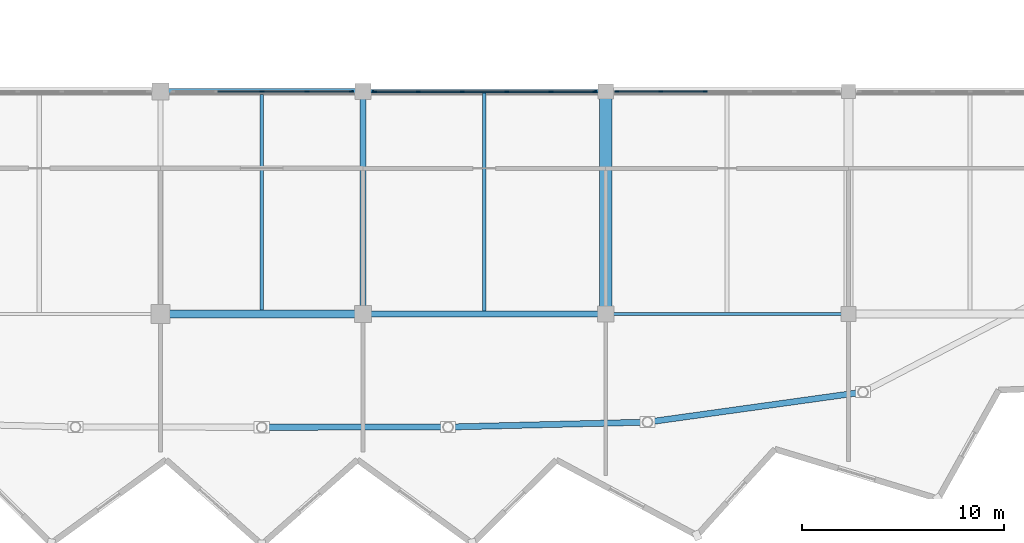
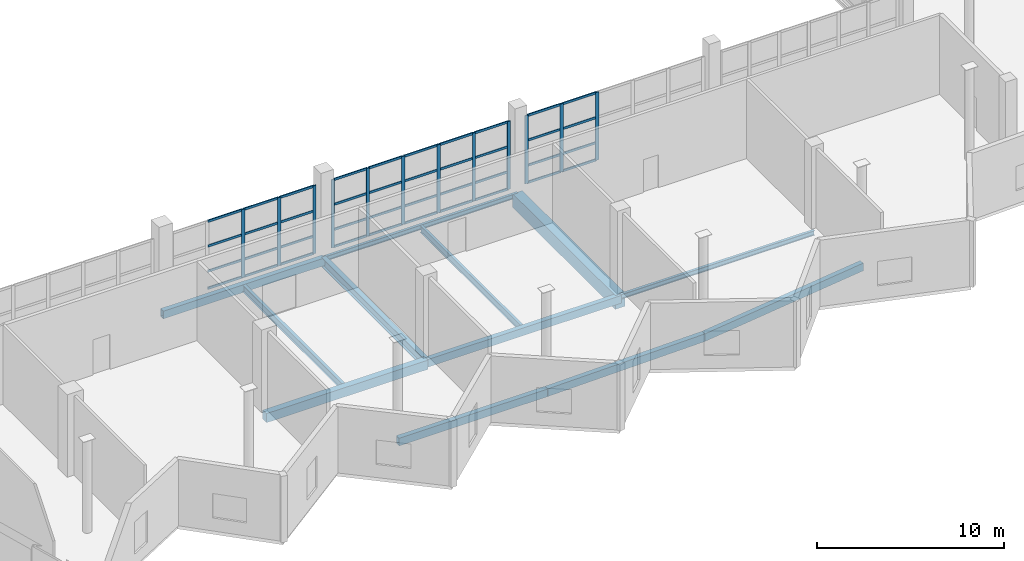
# One storey, part 16 of 49: 52 members, 12 beams, 3 elements without a shape of their own.
"""IFC4 building model written with IfcOpenShell, lengths in metres."""

from ifc_helpers import new_model, si_unit, direction, frame, origin, origin_2d, place, context, subcontext, project, spatial, rectangle, hollow_rectangle, i_section, extrude, material, material_profile, profile_set, type_object, element, aggregate, save


model = new_model("IFC4")

# Units and contexts
model_context = context("Model", 3, precision=1e-05, world=origin(), true_north=direction((0.0, 1.0)))
body_context = subcontext(model_context, "Body", "Model", "MODEL_VIEW")
ifc_project = project(units=[si_unit("LENGTHUNIT", "METRE"), si_unit("AREAUNIT", "SQUARE_METRE"), si_unit("VOLUMEUNIT", "CUBIC_METRE"), si_unit("PLANEANGLEUNIT", "RADIAN"), si_unit("MASSUNIT", "GRAM", prefix="KILO")], contexts=[model_context])

# Site, building, storey
site_placement = place(None, origin())
site = spatial("IfcSite", under=ifc_project, at=site_placement, CompositionType="ELEMENT")
building_placement = place(site_placement, origin())
building = spatial("IfcBuilding", under=site, at=building_placement, Name="Luwafu Chhajja Arena", CompositionType="ELEMENT")
storey_placement = place(building_placement, frame((0.0, 0.0, 24.300048828125)))
storey = spatial("IfcBuildingStorey", under=building, at=storey_placement, Name="L05", CompositionType="ELEMENT", Elevation=24.300048828125)

# Curtain wall, members
ifc_material_1 = material(Name="Anodised bronze aluminium", Category="aluminium")
curtain_wall_type = type_object("IfcCurtainWallType", Name="VIP Club Terrace Curtain Wall", PredefinedType="USERDEFINED", material=ifc_material_1)
curtain_wall_1_placement = place(storey_placement, origin())
curtain_wall_1 = element("IfcCurtainWall", 1, at=curtain_wall_1_placement, inside=storey, type_object=curtain_wall_type, Name="L05 Bowl Viewing Curtain Wall CWR-L05-04", ObjectType="CURTAIN WALL", PredefinedType="USERDEFINED")
ifc_material_profile_1 = material_profile(ifc_material_1, rectangle(XDim=0.06494140625, YDim=0.199951171875, at=origin_2d()), Name="CWM 65x200")
ifc_profile_set_1 = profile_set([ifc_material_profile_1], Name="Anodised bronze aluminium")
member_type_1 = type_object("IfcMemberType", Name="Bronze Curtain Wall Mullion 65x200", PredefinedType="MULLION", material=ifc_profile_set_1)
member_1_placement = place(storey_placement, frame((99.012451171875, 22.0, 0.0), z_axis=(0.0, 0.0, 1.0), x_axis=(0.0, 1.0, 0.0)))
member_1 = element("IfcMember", 2, at=member_1_placement, type_object=member_type_1, Name="CW-10 mullion 3", PredefinedType="MULLION", context=body_context, shape_type="SweptSolid", body=[
    extrude(rectangle(XDim=0.06494140625, YDim=0.199951171875, at=origin_2d()), origin(), (0.0, 0.0, 1.0), 4.449951171875),
])
member_2_placement = place(storey_placement, frame((101.236328125, 22.0, 0.0), z_axis=(0.0, 0.0, 1.0), x_axis=(0.0, 1.0, 0.0)))
member_2 = element("IfcMember", 3, at=member_2_placement, type_object=member_type_1, Name="CW-10 mullion 4", PredefinedType="MULLION", context=body_context, shape_type="SweptSolid", body=[
    extrude(rectangle(XDim=0.06494140625, YDim=0.199951171875, at=origin_2d()), origin(), (0.0, 0.0, 1.0), 4.449951171875),
])
member_3_placement = place(storey_placement, frame((103.427490234375, 22.0, 0.0), z_axis=(0.0, 0.0, 1.0), x_axis=(0.0, 1.0, 0.0)))
member_3 = element("IfcMember", 4, at=member_3_placement, type_object=member_type_1, Name="CW-10 mullion 5", PredefinedType="MULLION", context=body_context, shape_type="SweptSolid", body=[
    extrude(rectangle(XDim=0.06494140625, YDim=0.199951171875, at=origin_2d()), origin(), (0.0, 0.0, 1.0), 4.449951171875),
])

curtain_wall_2_placement = place(storey_placement, origin())
curtain_wall_2 = element("IfcCurtainWall", 5, at=curtain_wall_2_placement, inside=storey, type_object=curtain_wall_type, Name="L05 Bowl Viewing Curtain Wall CWR-L05-05", ObjectType="CURTAIN WALL", PredefinedType="USERDEFINED")
member_4_placement = place(storey_placement, frame((104.572509765625, 22.0, 0.0), z_axis=(0.0, 0.0, 1.0), x_axis=(0.0, 1.0, 0.0)))
member_4 = element("IfcMember", 6, at=member_4_placement, type_object=member_type_1, Name="CW-10 mullion 1", PredefinedType="MULLION", context=body_context, shape_type="SweptSolid", body=[
    extrude(rectangle(XDim=0.06494140625, YDim=0.199951171875, at=origin_2d()), origin(), (0.0, 0.0, 1.0), 4.449951171875),
])
member_5_placement = place(storey_placement, frame((106.72900390625, 22.0, 0.0), z_axis=(0.0, 0.0, 1.0), x_axis=(0.0, 1.0, 0.0)))
member_5 = element("IfcMember", 7, at=member_5_placement, type_object=member_type_1, Name="CW-10 mullion 2", PredefinedType="MULLION", context=body_context, shape_type="SweptSolid", body=[
    extrude(rectangle(XDim=0.06494140625, YDim=0.199951171875, at=origin_2d()), origin(), (0.0, 0.0, 1.0), 4.449951171875),
])
member_6_placement = place(storey_placement, frame((108.91796875, 22.0, 0.0), z_axis=(0.0, 0.0, 1.0), x_axis=(0.0, 1.0, 0.0)))
member_6 = element("IfcMember", 8, at=member_6_placement, type_object=member_type_1, Name="CW-10 mullion 3", PredefinedType="MULLION", context=body_context, shape_type="SweptSolid", body=[
    extrude(rectangle(XDim=0.06494140625, YDim=0.199951171875, at=origin_2d()), origin(), (0.0, 0.0, 1.0), 4.449951171875),
])
member_7_placement = place(storey_placement, frame((111.10693359375, 22.0, 0.0), z_axis=(0.0, 0.0, 1.0), x_axis=(0.0, 1.0, 0.0)))
member_7 = element("IfcMember", 9, at=member_7_placement, type_object=member_type_1, Name="CW-10 mullion 4", PredefinedType="MULLION", context=body_context, shape_type="SweptSolid", body=[
    extrude(rectangle(XDim=0.06494140625, YDim=0.199951171875, at=origin_2d()), origin(), (0.0, 0.0, 1.0), 4.449951171875),
])
member_8_placement = place(storey_placement, frame((113.2958984375, 22.0, 0.0), z_axis=(0.0, 0.0, 1.0), x_axis=(0.0, 1.0, 0.0)))
member_8 = element("IfcMember", 10, at=member_8_placement, type_object=member_type_1, Name="CW-10 mullion 5", PredefinedType="MULLION", context=body_context, shape_type="SweptSolid", body=[
    extrude(rectangle(XDim=0.06494140625, YDim=0.199951171875, at=origin_2d()), origin(), (0.0, 0.0, 1.0), 4.449951171875),
])
member_9_placement = place(storey_placement, frame((115.452392578125, 22.0, 0.0), z_axis=(0.0, 0.0, 1.0), x_axis=(0.0, 1.0, 0.0)))
member_9 = element("IfcMember", 11, at=member_9_placement, type_object=member_type_1, Name="CW-10 mullion 6", PredefinedType="MULLION", context=body_context, shape_type="SweptSolid", body=[
    extrude(rectangle(XDim=0.06494140625, YDim=0.199951171875, at=origin_2d()), origin(), (0.0, 0.0, 1.0), 4.449951171875),
])

curtain_wall_3_placement = place(storey_placement, origin())
curtain_wall_3 = element("IfcCurtainWall", 12, at=curtain_wall_3_placement, inside=storey, type_object=curtain_wall_type, Name="L05 Bowl Viewing Curtain Wall CWR-L05-06", ObjectType="CURTAIN WALL", PredefinedType="USERDEFINED")
member_10_placement = place(storey_placement, frame((116.547607421875, 22.0, 0.0), z_axis=(0.0, 0.0, 1.0), x_axis=(0.0, 1.0, 0.0)))
member_10 = element("IfcMember", 13, at=member_10_placement, type_object=member_type_1, Name="CW-10 mullion 1", PredefinedType="MULLION", context=body_context, shape_type="SweptSolid", body=[
    extrude(rectangle(XDim=0.06494140625, YDim=0.199951171875, at=origin_2d()), origin(), (0.0, 0.0, 1.0), 4.449951171875),
])
member_11_placement = place(storey_placement, frame((118.714111328125, 22.0, 0.0), z_axis=(0.0, 0.0, 1.0), x_axis=(0.0, 1.0, 0.0)))
member_11 = element("IfcMember", 14, at=member_11_placement, type_object=member_type_1, Name="CW-10 mullion 2", PredefinedType="MULLION", context=body_context, shape_type="SweptSolid", body=[
    extrude(rectangle(XDim=0.06494140625, YDim=0.199951171875, at=origin_2d()), origin(), (0.0, 0.0, 1.0), 4.449951171875),
])
member_12_placement = place(storey_placement, frame((120.9130859375, 22.0, 0.0), z_axis=(0.0, 0.0, 1.0), x_axis=(0.0, 1.0, 0.0)))
member_12 = element("IfcMember", 15, at=member_12_placement, type_object=member_type_1, Name="CW-10 mullion 3", PredefinedType="MULLION", context=body_context, shape_type="SweptSolid", body=[
    extrude(rectangle(XDim=0.06494140625, YDim=0.199951171875, at=origin_2d()), origin(), (0.0, 0.0, 1.0), 4.449951171875),
])

# Member
ifc_material_profile_2 = material_profile(ifc_material_1, rectangle(XDim=0.06494140625, YDim=0.14990234375, at=origin_2d()), Name="CWT 65x150")
ifc_profile_set_2 = profile_set([ifc_material_profile_2], Name="Anodised bronze aluminium")
member_type_2 = type_object("IfcMemberType", Name="Bronze Curtain Wall Transom 65x150", PredefinedType="USERDEFINED", material=ifc_profile_set_2)
member_13_placement = place(storey_placement, frame((96.8212890625, 22.0, 0.032470703125), z_axis=(1.0, 0.0, 0.0), x_axis=(0.0, 1.0, 0.0)))
member_13 = element("IfcMember", 16, at=member_13_placement, type_object=member_type_2, Name="CW-10 transom 2.1", ObjectType="TRANSOM", PredefinedType="USERDEFINED", context=body_context, shape_type="SweptSolid", body=[
    extrude(rectangle(XDim=0.06494140625, YDim=0.14990234375, at=origin_2d()), origin(), (0.0, 0.0, 1.0), 2.15869140625),
])

member_14_placement = place(storey_placement, frame((96.8212890625, 22.0, 1.14990234375), z_axis=(1.0, 0.0, 0.0), x_axis=(0.0, 1.0, 0.0)))
member_14 = element("IfcMember", 17, at=member_14_placement, type_object=member_type_2, Name="CW-10 transom 2.2", ObjectType="TRANSOM", PredefinedType="USERDEFINED", context=body_context, shape_type="SweptSolid", body=[
    extrude(rectangle(XDim=0.06494140625, YDim=0.14990234375, at=origin_2d()), origin(), (0.0, 0.0, 1.0), 2.15869140625),
])

member_15_placement = place(storey_placement, frame((96.8212890625, 22.0, 2.800048828125), z_axis=(1.0, 0.0, 0.0), x_axis=(0.0, 1.0, 0.0)))
member_15 = element("IfcMember", 18, at=member_15_placement, type_object=member_type_2, Name="CW-10 transom 2.3", ObjectType="TRANSOM", PredefinedType="USERDEFINED", context=body_context, shape_type="SweptSolid", body=[
    extrude(rectangle(XDim=0.06494140625, YDim=0.14990234375, at=origin_2d()), origin(), (0.0, 0.0, 1.0), 2.15869140625),
])

member_16_placement = place(storey_placement, frame((96.8212890625, 22.0, 4.41748046875), z_axis=(1.0, 0.0, 0.0), x_axis=(0.0, 1.0, 0.0)))
member_16 = element("IfcMember", 19, at=member_16_placement, type_object=member_type_2, Name="CW-10 transom 2.4", ObjectType="TRANSOM", PredefinedType="USERDEFINED", context=body_context, shape_type="SweptSolid", body=[
    extrude(rectangle(XDim=0.06494140625, YDim=0.14990234375, at=origin_2d()), origin(), (0.0, 0.0, 1.0), 2.15869140625),
])

member_17_placement = place(storey_placement, frame((99.044921875, 22.0, 0.032470703125), z_axis=(1.0, 0.0, 0.0), x_axis=(0.0, 1.0, 0.0)))
member_17 = element("IfcMember", 20, at=member_17_placement, type_object=member_type_2, Name="CW-10 transom 3.1", ObjectType="TRANSOM", PredefinedType="USERDEFINED", context=body_context, shape_type="SweptSolid", body=[
    extrude(rectangle(XDim=0.06494140625, YDim=0.14990234375, at=origin_2d()), origin(), (0.0, 0.0, 1.0), 2.158935546875),
])

member_18_placement = place(storey_placement, frame((99.044921875, 22.0, 1.14990234375), z_axis=(1.0, 0.0, 0.0), x_axis=(0.0, 1.0, 0.0)))
member_18 = element("IfcMember", 21, at=member_18_placement, type_object=member_type_2, Name="CW-10 transom 3.2", ObjectType="TRANSOM", PredefinedType="USERDEFINED", context=body_context, shape_type="SweptSolid", body=[
    extrude(rectangle(XDim=0.06494140625, YDim=0.14990234375, at=origin_2d()), origin(), (0.0, 0.0, 1.0), 2.158935546875),
])

member_19_placement = place(storey_placement, frame((99.044921875, 22.0, 2.800048828125), z_axis=(1.0, 0.0, 0.0), x_axis=(0.0, 1.0, 0.0)))
member_19 = element("IfcMember", 22, at=member_19_placement, type_object=member_type_2, Name="CW-10 transom 3.3", ObjectType="TRANSOM", PredefinedType="USERDEFINED", context=body_context, shape_type="SweptSolid", body=[
    extrude(rectangle(XDim=0.06494140625, YDim=0.14990234375, at=origin_2d()), origin(), (0.0, 0.0, 1.0), 2.158935546875),
])

member_20_placement = place(storey_placement, frame((99.044921875, 22.0, 4.41748046875), z_axis=(1.0, 0.0, 0.0), x_axis=(0.0, 1.0, 0.0)))
member_20 = element("IfcMember", 23, at=member_20_placement, type_object=member_type_2, Name="CW-10 transom 3.4", ObjectType="TRANSOM", PredefinedType="USERDEFINED", context=body_context, shape_type="SweptSolid", body=[
    extrude(rectangle(XDim=0.06494140625, YDim=0.14990234375, at=origin_2d()), origin(), (0.0, 0.0, 1.0), 2.158935546875),
])

member_21_placement = place(storey_placement, frame((101.268798828125, 22.0, 0.032470703125), z_axis=(1.0, 0.0, 0.0), x_axis=(0.0, 1.0, 0.0)))
member_21 = element("IfcMember", 24, at=member_21_placement, type_object=member_type_2, Name="CW-10 transom 4.1", ObjectType="TRANSOM", PredefinedType="USERDEFINED", context=body_context, shape_type="SweptSolid", body=[
    extrude(rectangle(XDim=0.06494140625, YDim=0.14990234375, at=origin_2d()), origin(), (0.0, 0.0, 1.0), 2.126220703125),
])

member_22_placement = place(storey_placement, frame((101.268798828125, 22.0, 1.14990234375), z_axis=(1.0, 0.0, 0.0), x_axis=(0.0, 1.0, 0.0)))
member_22 = element("IfcMember", 25, at=member_22_placement, type_object=member_type_2, Name="CW-10 transom 4.2", ObjectType="TRANSOM", PredefinedType="USERDEFINED", context=body_context, shape_type="SweptSolid", body=[
    extrude(rectangle(XDim=0.06494140625, YDim=0.14990234375, at=origin_2d()), origin(), (0.0, 0.0, 1.0), 2.126220703125),
])

member_23_placement = place(storey_placement, frame((101.268798828125, 22.0, 2.800048828125), z_axis=(1.0, 0.0, 0.0), x_axis=(0.0, 1.0, 0.0)))
member_23 = element("IfcMember", 26, at=member_23_placement, type_object=member_type_2, Name="CW-10 transom 4.3", ObjectType="TRANSOM", PredefinedType="USERDEFINED", context=body_context, shape_type="SweptSolid", body=[
    extrude(rectangle(XDim=0.06494140625, YDim=0.14990234375, at=origin_2d()), origin(), (0.0, 0.0, 1.0), 2.126220703125),
])

member_24_placement = place(storey_placement, frame((101.268798828125, 22.0, 4.41748046875), z_axis=(1.0, 0.0, 0.0), x_axis=(0.0, 1.0, 0.0)))
member_24 = element("IfcMember", 27, at=member_24_placement, type_object=member_type_2, Name="CW-10 transom 4.4", ObjectType="TRANSOM", PredefinedType="USERDEFINED", context=body_context, shape_type="SweptSolid", body=[
    extrude(rectangle(XDim=0.06494140625, YDim=0.14990234375, at=origin_2d()), origin(), (0.0, 0.0, 1.0), 2.126220703125),
])

aggregate(curtain_wall_1, [member_1, member_2, member_3, member_13, member_14, member_15, member_16, member_17, member_18, member_19, member_20, member_21, member_22, member_23, member_24])

member_25_placement = place(storey_placement, frame((104.60498046875, 22.0, 0.032470703125), z_axis=(1.0, 0.0, 0.0), x_axis=(0.0, 1.0, 0.0)))
member_25 = element("IfcMember", 28, at=member_25_placement, type_object=member_type_2, Name="CW-10 transom 1.1", ObjectType="TRANSOM", PredefinedType="USERDEFINED", context=body_context, shape_type="SweptSolid", body=[
    extrude(rectangle(XDim=0.06494140625, YDim=0.14990234375, at=origin_2d()), origin(), (0.0, 0.0, 1.0), 2.091552734375),
])

member_26_placement = place(storey_placement, frame((104.60498046875, 22.0, 1.14990234375), z_axis=(1.0, 0.0, 0.0), x_axis=(0.0, 1.0, 0.0)))
member_26 = element("IfcMember", 29, at=member_26_placement, type_object=member_type_2, Name="CW-10 transom 1.2", ObjectType="TRANSOM", PredefinedType="USERDEFINED", context=body_context, shape_type="SweptSolid", body=[
    extrude(rectangle(XDim=0.06494140625, YDim=0.14990234375, at=origin_2d()), origin(), (0.0, 0.0, 1.0), 2.091552734375),
])

member_27_placement = place(storey_placement, frame((104.60498046875, 22.0, 2.800048828125), z_axis=(1.0, 0.0, 0.0), x_axis=(0.0, 1.0, 0.0)))
member_27 = element("IfcMember", 30, at=member_27_placement, type_object=member_type_2, Name="CW-10 transom 1.3", ObjectType="TRANSOM", PredefinedType="USERDEFINED", context=body_context, shape_type="SweptSolid", body=[
    extrude(rectangle(XDim=0.06494140625, YDim=0.14990234375, at=origin_2d()), origin(), (0.0, 0.0, 1.0), 2.091552734375),
])

member_28_placement = place(storey_placement, frame((104.60498046875, 22.0, 4.41748046875), z_axis=(1.0, 0.0, 0.0), x_axis=(0.0, 1.0, 0.0)))
member_28 = element("IfcMember", 31, at=member_28_placement, type_object=member_type_2, Name="CW-10 transom 1.4", ObjectType="TRANSOM", PredefinedType="USERDEFINED", context=body_context, shape_type="SweptSolid", body=[
    extrude(rectangle(XDim=0.06494140625, YDim=0.14990234375, at=origin_2d()), origin(), (0.0, 0.0, 1.0), 2.091552734375),
])

member_29_placement = place(storey_placement, frame((106.761474609375, 22.0, 0.032470703125), z_axis=(1.0, 0.0, 0.0), x_axis=(0.0, 1.0, 0.0)))
member_29 = element("IfcMember", 32, at=member_29_placement, type_object=member_type_2, Name="CW-10 transom 2.1", ObjectType="TRANSOM", PredefinedType="USERDEFINED", context=body_context, shape_type="SweptSolid", body=[
    extrude(rectangle(XDim=0.06494140625, YDim=0.14990234375, at=origin_2d()), origin(), (0.0, 0.0, 1.0), 2.1240234375),
])

member_30_placement = place(storey_placement, frame((106.761474609375, 22.0, 1.14990234375), z_axis=(1.0, 0.0, 0.0), x_axis=(0.0, 1.0, 0.0)))
member_30 = element("IfcMember", 33, at=member_30_placement, type_object=member_type_2, Name="CW-10 transom 2.2", ObjectType="TRANSOM", PredefinedType="USERDEFINED", context=body_context, shape_type="SweptSolid", body=[
    extrude(rectangle(XDim=0.06494140625, YDim=0.14990234375, at=origin_2d()), origin(), (0.0, 0.0, 1.0), 2.1240234375),
])

member_31_placement = place(storey_placement, frame((106.761474609375, 22.0, 2.800048828125), z_axis=(1.0, 0.0, 0.0), x_axis=(0.0, 1.0, 0.0)))
member_31 = element("IfcMember", 34, at=member_31_placement, type_object=member_type_2, Name="CW-10 transom 2.3", ObjectType="TRANSOM", PredefinedType="USERDEFINED", context=body_context, shape_type="SweptSolid", body=[
    extrude(rectangle(XDim=0.06494140625, YDim=0.14990234375, at=origin_2d()), origin(), (0.0, 0.0, 1.0), 2.1240234375),
])

member_32_placement = place(storey_placement, frame((106.761474609375, 22.0, 4.41748046875), z_axis=(1.0, 0.0, 0.0), x_axis=(0.0, 1.0, 0.0)))
member_32 = element("IfcMember", 35, at=member_32_placement, type_object=member_type_2, Name="CW-10 transom 2.4", ObjectType="TRANSOM", PredefinedType="USERDEFINED", context=body_context, shape_type="SweptSolid", body=[
    extrude(rectangle(XDim=0.06494140625, YDim=0.14990234375, at=origin_2d()), origin(), (0.0, 0.0, 1.0), 2.1240234375),
])

member_33_placement = place(storey_placement, frame((108.950439453125, 22.0, 0.032470703125), z_axis=(1.0, 0.0, 0.0), x_axis=(0.0, 1.0, 0.0)))
member_33 = element("IfcMember", 36, at=member_33_placement, type_object=member_type_2, Name="CW-10 transom 3.1", ObjectType="TRANSOM", PredefinedType="USERDEFINED", context=body_context, shape_type="SweptSolid", body=[
    extrude(rectangle(XDim=0.06494140625, YDim=0.14990234375, at=origin_2d()), origin(), (0.0, 0.0, 1.0), 2.1240234375),
])

member_34_placement = place(storey_placement, frame((108.950439453125, 22.0, 1.14990234375), z_axis=(1.0, 0.0, 0.0), x_axis=(0.0, 1.0, 0.0)))
member_34 = element("IfcMember", 37, at=member_34_placement, type_object=member_type_2, Name="CW-10 transom 3.2", ObjectType="TRANSOM", PredefinedType="USERDEFINED", context=body_context, shape_type="SweptSolid", body=[
    extrude(rectangle(XDim=0.06494140625, YDim=0.14990234375, at=origin_2d()), origin(), (0.0, 0.0, 1.0), 2.1240234375),
])

member_35_placement = place(storey_placement, frame((108.950439453125, 22.0, 2.800048828125), z_axis=(1.0, 0.0, 0.0), x_axis=(0.0, 1.0, 0.0)))
member_35 = element("IfcMember", 38, at=member_35_placement, type_object=member_type_2, Name="CW-10 transom 3.3", ObjectType="TRANSOM", PredefinedType="USERDEFINED", context=body_context, shape_type="SweptSolid", body=[
    extrude(rectangle(XDim=0.06494140625, YDim=0.14990234375, at=origin_2d()), origin(), (0.0, 0.0, 1.0), 2.1240234375),
])

member_36_placement = place(storey_placement, frame((108.950439453125, 22.0, 4.41748046875), z_axis=(1.0, 0.0, 0.0), x_axis=(0.0, 1.0, 0.0)))
member_36 = element("IfcMember", 39, at=member_36_placement, type_object=member_type_2, Name="CW-10 transom 3.4", ObjectType="TRANSOM", PredefinedType="USERDEFINED", context=body_context, shape_type="SweptSolid", body=[
    extrude(rectangle(XDim=0.06494140625, YDim=0.14990234375, at=origin_2d()), origin(), (0.0, 0.0, 1.0), 2.1240234375),
])

member_37_placement = place(storey_placement, frame((111.139404296875, 22.0, 0.032470703125), z_axis=(1.0, 0.0, 0.0), x_axis=(0.0, 1.0, 0.0)))
member_37 = element("IfcMember", 40, at=member_37_placement, type_object=member_type_2, Name="CW-10 transom 4.1", ObjectType="TRANSOM", PredefinedType="USERDEFINED", context=body_context, shape_type="SweptSolid", body=[
    extrude(rectangle(XDim=0.06494140625, YDim=0.14990234375, at=origin_2d()), origin(), (0.0, 0.0, 1.0), 2.1240234375),
])

member_38_placement = place(storey_placement, frame((111.139404296875, 22.0, 1.14990234375), z_axis=(1.0, 0.0, 0.0), x_axis=(0.0, 1.0, 0.0)))
member_38 = element("IfcMember", 41, at=member_38_placement, type_object=member_type_2, Name="CW-10 transom 4.2", ObjectType="TRANSOM", PredefinedType="USERDEFINED", context=body_context, shape_type="SweptSolid", body=[
    extrude(rectangle(XDim=0.06494140625, YDim=0.14990234375, at=origin_2d()), origin(), (0.0, 0.0, 1.0), 2.1240234375),
])

member_39_placement = place(storey_placement, frame((111.139404296875, 22.0, 2.800048828125), z_axis=(1.0, 0.0, 0.0), x_axis=(0.0, 1.0, 0.0)))
member_39 = element("IfcMember", 42, at=member_39_placement, type_object=member_type_2, Name="CW-10 transom 4.3", ObjectType="TRANSOM", PredefinedType="USERDEFINED", context=body_context, shape_type="SweptSolid", body=[
    extrude(rectangle(XDim=0.06494140625, YDim=0.14990234375, at=origin_2d()), origin(), (0.0, 0.0, 1.0), 2.1240234375),
])

member_40_placement = place(storey_placement, frame((111.139404296875, 22.0, 4.41748046875), z_axis=(1.0, 0.0, 0.0), x_axis=(0.0, 1.0, 0.0)))
member_40 = element("IfcMember", 43, at=member_40_placement, type_object=member_type_2, Name="CW-10 transom 4.4", ObjectType="TRANSOM", PredefinedType="USERDEFINED", context=body_context, shape_type="SweptSolid", body=[
    extrude(rectangle(XDim=0.06494140625, YDim=0.14990234375, at=origin_2d()), origin(), (0.0, 0.0, 1.0), 2.1240234375),
])

member_41_placement = place(storey_placement, frame((113.32861328125, 22.0, 0.032470703125), z_axis=(1.0, 0.0, 0.0), x_axis=(0.0, 1.0, 0.0)))
member_41 = element("IfcMember", 44, at=member_41_placement, type_object=member_type_2, Name="CW-10 transom 5.1", ObjectType="TRANSOM", PredefinedType="USERDEFINED", context=body_context, shape_type="SweptSolid", body=[
    extrude(rectangle(XDim=0.06494140625, YDim=0.14990234375, at=origin_2d()), origin(), (0.0, 0.0, 1.0), 2.09130859375),
])

member_42_placement = place(storey_placement, frame((113.32861328125, 22.0, 1.14990234375), z_axis=(1.0, 0.0, 0.0), x_axis=(0.0, 1.0, 0.0)))
member_42 = element("IfcMember", 45, at=member_42_placement, type_object=member_type_2, Name="CW-10 transom 5.2", ObjectType="TRANSOM", PredefinedType="USERDEFINED", context=body_context, shape_type="SweptSolid", body=[
    extrude(rectangle(XDim=0.06494140625, YDim=0.14990234375, at=origin_2d()), origin(), (0.0, 0.0, 1.0), 2.09130859375),
])

member_43_placement = place(storey_placement, frame((113.32861328125, 22.0, 2.800048828125), z_axis=(1.0, 0.0, 0.0), x_axis=(0.0, 1.0, 0.0)))
member_43 = element("IfcMember", 46, at=member_43_placement, type_object=member_type_2, Name="CW-10 transom 5.3", ObjectType="TRANSOM", PredefinedType="USERDEFINED", context=body_context, shape_type="SweptSolid", body=[
    extrude(rectangle(XDim=0.06494140625, YDim=0.14990234375, at=origin_2d()), origin(), (0.0, 0.0, 1.0), 2.09130859375),
])

member_44_placement = place(storey_placement, frame((113.32861328125, 22.0, 4.41748046875), z_axis=(1.0, 0.0, 0.0), x_axis=(0.0, 1.0, 0.0)))
member_44 = element("IfcMember", 47, at=member_44_placement, type_object=member_type_2, Name="CW-10 transom 5.4", ObjectType="TRANSOM", PredefinedType="USERDEFINED", context=body_context, shape_type="SweptSolid", body=[
    extrude(rectangle(XDim=0.06494140625, YDim=0.14990234375, at=origin_2d()), origin(), (0.0, 0.0, 1.0), 2.09130859375),
])

aggregate(curtain_wall_2, [member_4, member_5, member_6, member_7, member_8, member_9, member_25, member_26, member_27, member_28, member_29, member_30, member_31, member_32, member_33, member_34, member_35, member_36, member_37, member_38, member_39, member_40, member_41, member_42, member_43, member_44])

member_45_placement = place(storey_placement, frame((116.580078125, 22.0, 0.032470703125), z_axis=(1.0, 0.0, 0.0), x_axis=(0.0, 1.0, 0.0)))
member_45 = element("IfcMember", 48, at=member_45_placement, type_object=member_type_2, Name="CW-10 transom 1.1", ObjectType="TRANSOM", PredefinedType="USERDEFINED", context=body_context, shape_type="SweptSolid", body=[
    extrude(rectangle(XDim=0.06494140625, YDim=0.14990234375, at=origin_2d()), origin(), (0.0, 0.0, 1.0), 2.101318359375),
])

member_46_placement = place(storey_placement, frame((116.580078125, 22.0, 1.14990234375), z_axis=(1.0, 0.0, 0.0), x_axis=(0.0, 1.0, 0.0)))
member_46 = element("IfcMember", 49, at=member_46_placement, type_object=member_type_2, Name="CW-10 transom 1.2", ObjectType="TRANSOM", PredefinedType="USERDEFINED", context=body_context, shape_type="SweptSolid", body=[
    extrude(rectangle(XDim=0.06494140625, YDim=0.14990234375, at=origin_2d()), origin(), (0.0, 0.0, 1.0), 2.101318359375),
])

member_47_placement = place(storey_placement, frame((116.580078125, 22.0, 2.800048828125), z_axis=(1.0, 0.0, 0.0), x_axis=(0.0, 1.0, 0.0)))
member_47 = element("IfcMember", 50, at=member_47_placement, type_object=member_type_2, Name="CW-10 transom 1.3", ObjectType="TRANSOM", PredefinedType="USERDEFINED", context=body_context, shape_type="SweptSolid", body=[
    extrude(rectangle(XDim=0.06494140625, YDim=0.14990234375, at=origin_2d()), origin(), (0.0, 0.0, 1.0), 2.101318359375),
])

member_48_placement = place(storey_placement, frame((116.580078125, 22.0, 4.41748046875), z_axis=(1.0, 0.0, 0.0), x_axis=(0.0, 1.0, 0.0)))
member_48 = element("IfcMember", 51, at=member_48_placement, type_object=member_type_2, Name="CW-10 transom 1.4", ObjectType="TRANSOM", PredefinedType="USERDEFINED", context=body_context, shape_type="SweptSolid", body=[
    extrude(rectangle(XDim=0.06494140625, YDim=0.14990234375, at=origin_2d()), origin(), (0.0, 0.0, 1.0), 2.101318359375),
])

member_49_placement = place(storey_placement, frame((118.74658203125, 22.0, 0.032470703125), z_axis=(1.0, 0.0, 0.0), x_axis=(0.0, 1.0, 0.0)))
member_49 = element("IfcMember", 52, at=member_49_placement, type_object=member_type_2, Name="CW-10 transom 2.1", ObjectType="TRANSOM", PredefinedType="USERDEFINED", context=body_context, shape_type="SweptSolid", body=[
    extrude(rectangle(XDim=0.06494140625, YDim=0.14990234375, at=origin_2d()), origin(), (0.0, 0.0, 1.0), 2.134033203125),
])

member_50_placement = place(storey_placement, frame((118.74658203125, 22.0, 1.14990234375), z_axis=(1.0, 0.0, 0.0), x_axis=(0.0, 1.0, 0.0)))
member_50 = element("IfcMember", 53, at=member_50_placement, type_object=member_type_2, Name="CW-10 transom 2.2", ObjectType="TRANSOM", PredefinedType="USERDEFINED", context=body_context, shape_type="SweptSolid", body=[
    extrude(rectangle(XDim=0.06494140625, YDim=0.14990234375, at=origin_2d()), origin(), (0.0, 0.0, 1.0), 2.134033203125),
])

member_51_placement = place(storey_placement, frame((118.74658203125, 22.0, 2.800048828125), z_axis=(1.0, 0.0, 0.0), x_axis=(0.0, 1.0, 0.0)))
member_51 = element("IfcMember", 54, at=member_51_placement, type_object=member_type_2, Name="CW-10 transom 2.3", ObjectType="TRANSOM", PredefinedType="USERDEFINED", context=body_context, shape_type="SweptSolid", body=[
    extrude(rectangle(XDim=0.06494140625, YDim=0.14990234375, at=origin_2d()), origin(), (0.0, 0.0, 1.0), 2.134033203125),
])

member_52_placement = place(storey_placement, frame((118.74658203125, 22.0, 4.41748046875), z_axis=(1.0, 0.0, 0.0), x_axis=(0.0, 1.0, 0.0)))
member_52 = element("IfcMember", 55, at=member_52_placement, type_object=member_type_2, Name="CW-10 transom 2.4", ObjectType="TRANSOM", PredefinedType="USERDEFINED", context=body_context, shape_type="SweptSolid", body=[
    extrude(rectangle(XDim=0.06494140625, YDim=0.14990234375, at=origin_2d()), origin(), (0.0, 0.0, 1.0), 2.134033203125),
])

aggregate(curtain_wall_3, [member_10, member_11, member_12, member_45, member_46, member_47, member_48, member_49, member_50, member_51, member_52])

# Beams
ifc_material_2 = material(Name="Steel S355", Category="steel")
ifc_material_profile_3 = material_profile(ifc_material_2, i_section(OverallWidth=0.165771484375, OverallDepth=0.306640625, WebThickness=0.006591796875, FlangeThickness=0.01171875, at=origin_2d()), Name="UB 305x165x46")
ifc_profile_set_3 = profile_set([ifc_material_profile_3], Name="Steel S355")
beam_type_1 = type_object("IfcBeamType", Name="Concourse Edge Spandrel Beam UB 305x165x46", PredefinedType="SPANDREL", material=ifc_profile_set_3)
for number, where, z_axis, x_axis, name in (
    (56, (104.0, 22.0, -0.54345703125), (1.0, 0.0, 0.0), (0.0, 1.0, 0.0), "L05 Grid Beam 10-11/C"),
    (57, (116.0, 11.0, -0.54345703125), (1.0, 0.0, 0.0), (0.0, 1.0, 0.0), "L05 Grid Beam 11-12/B"),
):
    element("IfcBeam", number, at=place(storey_placement, frame(where, z_axis=z_axis, x_axis=x_axis)), inside=storey, type_object=beam_type_1, Name=name, PredefinedType="SPANDREL", context=body_context, shape_type="SweptSolid", body=[
        extrude(i_section(OverallWidth=0.165771484375, OverallDepth=0.306640625, WebThickness=0.006591796875, FlangeThickness=0.01171875, at=origin_2d()), origin(), (0.0, 0.0, 1.0), 12.0),
    ])
ifc_material_3 = material(Name="Concrete C35/45", Category="concrete")
ifc_material_profile_4 = material_profile(ifc_material_3, rectangle(XDim=0.60009765625, YDim=0.89990234375, at=origin_2d()), Name="RC 600x900")
ifc_profile_set_4 = profile_set([ifc_material_profile_4], Name="Concrete C35/45")
beam_type_2 = type_object("IfcBeamType", Name="Concourse Primary Girder RC 600x900", PredefinedType="BEAM", material=ifc_profile_set_4)
beam_1_placement = place(storey_placement, frame((116.0, 11.0, -0.840087890625), z_axis=(0.0, 1.0, 0.0), x_axis=(-1.0, 0.0, 0.0)))
element("IfcBeam", 58, at=beam_1_placement, inside=storey, type_object=beam_type_2, Name="L05 Grid Beam 11/B-C", PredefinedType="BEAM", context=body_context, shape_type="SweptSolid", body=[
    extrude(rectangle(XDim=0.60009765625, YDim=0.89990234375, at=origin_2d()), origin(), (0.0, 0.0, 1.0), 11.0),
])
ifc_material_profile_5 = material_profile(ifc_material_2, i_section(OverallWidth=0.15283203125, OverallDepth=0.45458984375, WebThickness=0.008056640625, FlangeThickness=0.01318359375, at=origin_2d()), Name="UB 457x152x60")
ifc_profile_set_5 = profile_set([ifc_material_profile_5], Name="Steel S355")
beam_type_3 = type_object("IfcBeamType", Name="Floor Joist UB 457x152x60", PredefinedType="JOIST", material=ifc_profile_set_5)
beam_2_placement = place(storey_placement, frame((110.0, 11.14990234375, -0.617431640625), z_axis=(0.0, 1.0, 0.0), x_axis=(-1.0, 0.0, 0.0)))
element("IfcBeam", 59, at=beam_2_placement, inside=storey, type_object=beam_type_3, Name="L05 Secondary Joist 10-11/B", PredefinedType="JOIST", context=body_context, shape_type="SweptSolid", body=[
    extrude(i_section(OverallWidth=0.15283203125, OverallDepth=0.45458984375, WebThickness=0.008056640625, FlangeThickness=0.01318359375, at=origin_2d()), origin(), (0.0, 0.0, 1.0), 10.76708984375),
])
ifc_material_profile_6 = material_profile(ifc_material_2, i_section(OverallWidth=0.19140625, OverallDepth=0.4599609375, WebThickness=0.010009765625, FlangeThickness=0.01611328125, at=origin_2d()), Name="UB 457x191x82")
ifc_profile_set_6 = profile_set([ifc_material_profile_6], Name="Steel S355")
beam_type_4 = type_object("IfcBeamType", Name="Floor Joist UB 457x191x82", PredefinedType="JOIST", material=ifc_profile_set_6)
beam_3_placement = place(storey_placement, frame((99.0, 11.199951171875, -0.6201171875), z_axis=(0.0, 1.0, 0.0), x_axis=(-1.0, 0.0, 0.0)))
element("IfcBeam", 60, at=beam_3_placement, inside=storey, type_object=beam_type_4, Name="L05 Secondary Joist 9-10/B", PredefinedType="JOIST", context=body_context, shape_type="SweptSolid", body=[
    extrude(i_section(OverallWidth=0.19140625, OverallDepth=0.4599609375, WebThickness=0.010009765625, FlangeThickness=0.01611328125, at=origin_2d()), origin(), (0.0, 0.0, 1.0), 10.650146484375),
])
ifc_material_profile_7 = material_profile(ifc_material_2, hollow_rectangle(XDim=0.300048828125, YDim=0.5, WallThickness=0.02001953125, at=origin_2d()), Name="RHS 500x300x20")
ifc_profile_set_7 = profile_set([ifc_material_profile_7], Name="Steel S355")
beam_type_5 = type_object("IfcBeamType", Name="Pleated Drum Spandrel Beam RHS 500x300", PredefinedType="SPANDREL", material=ifc_profile_set_7)
beam_4_placement = place(storey_placement, frame((94.0, 22.0, -0.64013671875), z_axis=(1.0, 0.0, 0.0), x_axis=(0.0, 1.0, 0.0)))
element("IfcBeam", 61, at=beam_4_placement, inside=storey, type_object=beam_type_5, Name="L05 Grid Beam 9-10/C", PredefinedType="SPANDREL", context=body_context, shape_type="SweptSolid", body=[
    extrude(hollow_rectangle(XDim=0.300048828125, YDim=0.5, WallThickness=0.02001953125, at=origin_2d()), origin(), (0.0, 0.0, 1.0), 10.0),
])
beam_5_placement = place(storey_placement, frame((104.0, 11.0, -0.64013671875), z_axis=(1.0, 0.0, 0.0), x_axis=(0.0, 1.0, 0.0)))
element("IfcBeam", 62, at=beam_5_placement, inside=storey, type_object=beam_type_5, Name="L05 Grid Beam 10-11/B", PredefinedType="SPANDREL", context=body_context, shape_type="SweptSolid", body=[
    extrude(hollow_rectangle(XDim=0.300048828125, YDim=0.5, WallThickness=0.02001953125, at=origin_2d()), origin(), (0.0, 0.0, 1.0), 12.0),
])
beam_6_placement = place(storey_placement, frame((99.0, 5.39990234375, -0.64013671875), z_axis=(0.999999155928, 0.001299285621, 0.0), x_axis=(-0.001299285621, 0.999999155928, 0.0)))
element("IfcBeam", 63, at=beam_6_placement, inside=storey, type_object=beam_type_5, Name="L05 Drum Ring Spandrel D25-D26", PredefinedType="SPANDREL", context=body_context, shape_type="SweptSolid", body=[
    extrude(hollow_rectangle(XDim=0.300048828125, YDim=0.5, WallThickness=0.02001953125, at=origin_2d()), origin(), (0.0, 0.0, 1.0), 9.207275390625),
])
beam_7_placement = place(storey_placement, frame((108.207275390625, 5.411865234375, -0.64013671875), z_axis=(0.999695420837, 0.024679253567, 0.0), x_axis=(-0.024679253567, 0.999695420837, 0.0)))
element("IfcBeam", 64, at=beam_7_placement, inside=storey, type_object=beam_type_5, Name="L05 Drum Ring Spandrel D26-D27", PredefinedType="SPANDREL", context=body_context, shape_type="SweptSolid", body=[
    extrude(hollow_rectangle(XDim=0.300048828125, YDim=0.5, WallThickness=0.02001953125, at=origin_2d()), origin(), (0.0, 0.0, 1.0), 9.86279296875),
])
beam_8_placement = place(storey_placement, frame((118.067138671875, 5.6552734375, -0.64013671875), z_axis=(0.990458730054, 0.137809666058, 0.0), x_axis=(-0.137809666058, 0.990458730054, 0.0)))
element("IfcBeam", 65, at=beam_8_placement, inside=storey, type_object=beam_type_5, Name="L05 Drum Ring Spandrel D27-D28", PredefinedType="SPANDREL", context=body_context, shape_type="SweptSolid", body=[
    extrude(hollow_rectangle(XDim=0.300048828125, YDim=0.5, WallThickness=0.02001953125, at=origin_2d()), origin(), (0.0, 0.0, 1.0), 10.75341796875),
])
ifc_material_profile_8 = material_profile(ifc_material_3, rectangle(XDim=0.39990234375, YDim=0.60009765625, at=origin_2d()), Name="RC 400x600")
ifc_profile_set_8 = profile_set([ifc_material_profile_8], Name="Concrete C35/45")
beam_type_6 = type_object("IfcBeamType", Name="Podium Perimeter Spandrel RC 400x600", PredefinedType="SPANDREL", material=ifc_profile_set_8)
beam_9_placement = place(storey_placement, frame((94.0, 11.0, -0.68994140625), z_axis=(1.0, 0.0, 0.0), x_axis=(0.0, 1.0, 0.0)))
element("IfcBeam", 66, at=beam_9_placement, inside=storey, type_object=beam_type_6, Name="L05 Grid Beam 9-10/B", PredefinedType="SPANDREL", context=body_context, shape_type="SweptSolid", body=[
    extrude(rectangle(XDim=0.39990234375, YDim=0.60009765625, at=origin_2d()), origin(), (0.0, 0.0, 1.0), 10.0),
])
ifc_material_profile_9 = material_profile(ifc_material_2, i_section(OverallWidth=0.300048828125, OverallDepth=0.60009765625, WebThickness=0.015380859375, FlangeThickness=0.030029296875, at=origin_2d()), Name="HEB 600")
ifc_profile_set_9 = profile_set([ifc_material_profile_9], Name="Steel S355")
beam_type_7 = type_object("IfcBeamType", Name="Steel Gallery Girder HEB 600", PredefinedType="BEAM", material=ifc_profile_set_9)
beam_10_placement = place(storey_placement, frame((104.0, 11.0, -0.68994140625), z_axis=(0.0, 1.0, 0.0), x_axis=(-1.0, 0.0, 0.0)))
element("IfcBeam", 67, at=beam_10_placement, inside=storey, type_object=beam_type_7, Name="L05 Grid Beam 10/B-C", PredefinedType="BEAM", context=body_context, shape_type="SweptSolid", body=[
    extrude(i_section(OverallWidth=0.300048828125, OverallDepth=0.60009765625, WebThickness=0.015380859375, FlangeThickness=0.030029296875, at=origin_2d()), origin(), (0.0, 0.0, 1.0), 11.0),
])

save(model, "model.ifc")
